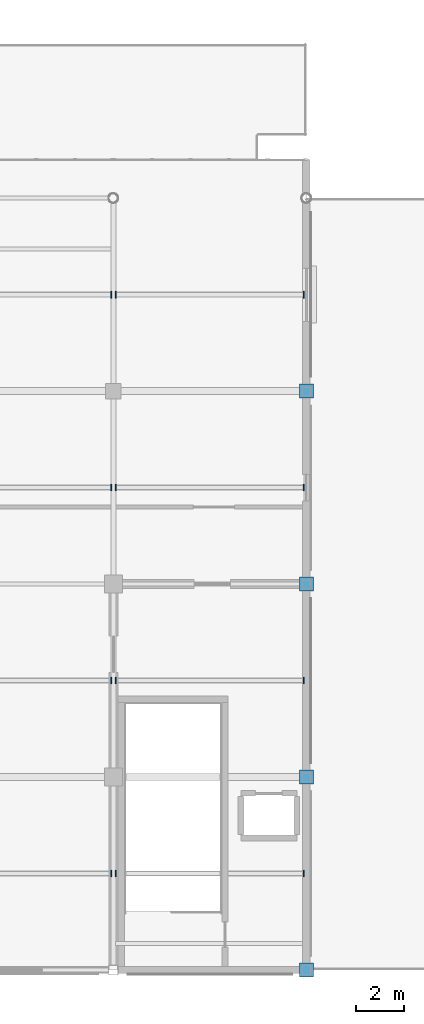
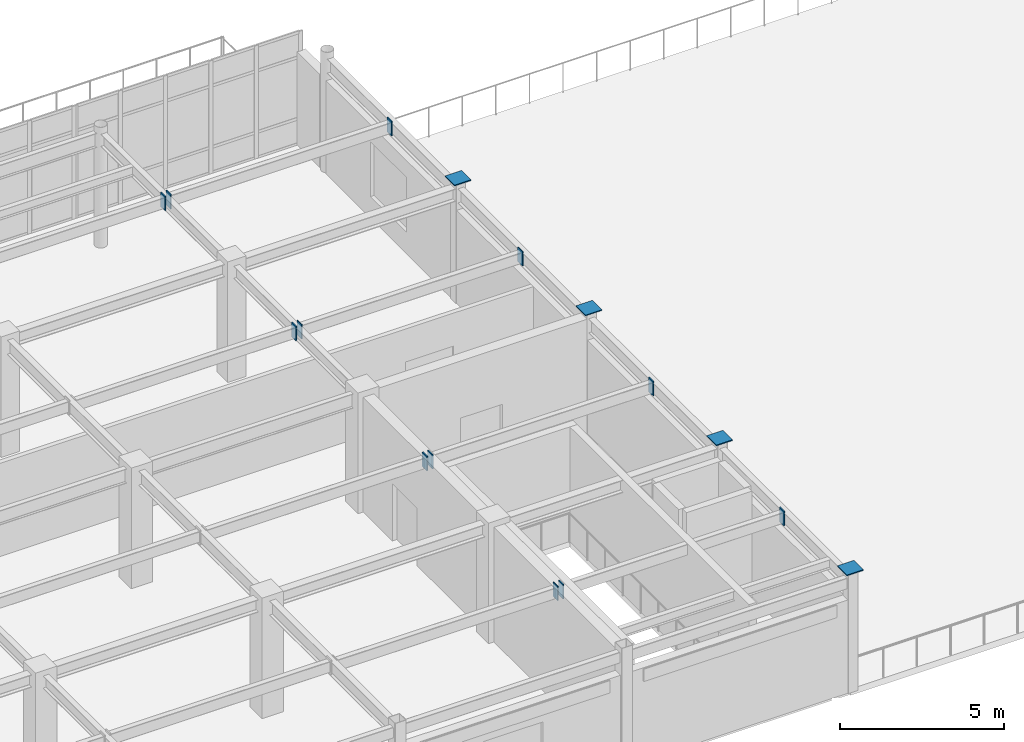
# One storey, part 69 of 93: 16 discrete accessories.
"""IFC4 building model written with IfcOpenShell, lengths in metres."""

from ifc_helpers import new_model, si_unit, direction, frame, origin, origin_2d, place, context, subcontext, project, spatial, rectangle, extrude, material, layer, layer_set, type_object, element, save


model = new_model("IFC4")

# Units and contexts
model_context = context("Model", 3, precision=1e-05, world=origin(), true_north=direction((0.0, 1.0)))
body_context = subcontext(model_context, "Body", "Model", "MODEL_VIEW")
ifc_project = project(units=[si_unit("LENGTHUNIT", "METRE"), si_unit("AREAUNIT", "SQUARE_METRE"), si_unit("VOLUMEUNIT", "CUBIC_METRE"), si_unit("PLANEANGLEUNIT", "RADIAN"), si_unit("MASSUNIT", "GRAM", prefix="KILO")], contexts=[model_context])

# Site, building, storey
site_placement = place(None, origin())
site = spatial("IfcSite", under=ifc_project, at=site_placement, CompositionType="ELEMENT")
building_placement = place(site_placement, origin())
building = spatial("IfcBuilding", under=site, at=building_placement, Name="Solmirada Galleria", CompositionType="ELEMENT")
storey_placement = place(building_placement, frame((0.0, 0.0, 14.89990234375)))
storey = spatial("IfcBuildingStorey", under=building, at=storey_placement, Name="L03", CompositionType="ELEMENT", Elevation=14.89990234375)

# Discrete accessories
ifc_material = material(Name="Steel S355 / ASTM A572 Grade 50", Category="steel")
ifc_layer = layer(ifc_material, 0.031982421875)
ifc_layer_set = layer_set([ifc_layer], Name="Steel S355 / ASTM A572 Grade 50")
discrete_accessory_type = type_object("IfcDiscreteAccessoryType", Name="ACC-COL-CAP", PredefinedType="BRACKET", material=ifc_layer_set)
for number, where, z_axis, x_axis, name in (
    (1, (144.0, 0.0, 4.494140625), (0.0, 0.0, 1.0), (1.0, 0.0, 0.0), "Hollow column cap plate L03-1209"),
    (2, (144.0, 8.0, 4.494140625), (0.0, 0.0, 1.0), (1.0, 0.0, 0.0), "Hollow column cap plate L03-1214"),
    (3, (144.0, 16.0, 4.494140625), (0.0, 0.0, 1.0), (1.0, 0.0, 0.0), "Hollow column cap plate L03-1219"),
    (4, (144.0, 24.0, 4.494140625), (0.0, 0.0, 1.0), (1.0, 0.0, 0.0), "Hollow column cap plate L03-1224"),
):
    element("IfcDiscreteAccessory", number, at=place(storey_placement, frame(where, z_axis=z_axis, x_axis=x_axis)), inside=storey, type_object=discrete_accessory_type, Name=name, PredefinedType="BRACKET", context=body_context, shape_type="SweptSolid", body=[
        extrude(rectangle(XDim=0.580078125, YDim=0.580078125, at=origin_2d()), origin(), (0.0, 0.0, 1.0), 0.035888671875),
    ])
for number, where, z_axis, x_axis, name in (
    (5, (135.903076171875, 4.0, 3.787109375), (0.0, 0.0, 1.0), (1.0, 0.0, 0.0), "Hollow joist end plate L04-17-01-R"),
    (6, (135.903076171875, 12.0, 3.787109375), (0.0, 0.0, 1.0), (1.0, 0.0, 0.0), "Hollow joist end plate L04-17-02-R"),
    (7, (135.903076171875, 20.0, 3.787109375), (0.0, 0.0, 1.0), (1.0, 0.0, 0.0), "Hollow joist end plate L04-17-03-R"),
    (8, (135.903076171875, 28.0, 3.787109375), (0.0, 0.0, 1.0), (1.0, 0.0, 0.0), "Hollow joist end plate L04-17-04-R"),
    (9, (136.096923828125, 4.0, 3.787109375), (0.0, 0.0, 1.0), (1.0, 0.0, 0.0), "Hollow joist end plate L04-18-01-L"),
    (10, (143.89501953125, 4.0, 3.787109375), (0.0, 0.0, 1.0), (1.0, 0.0, 0.0), "Hollow joist end plate L04-18-01-R"),
    (11, (136.096923828125, 12.0, 3.787109375), (0.0, 0.0, 1.0), (1.0, 0.0, 0.0), "Hollow joist end plate L04-18-02-L"),
    (12, (143.89501953125, 12.0, 3.787109375), (0.0, 0.0, 1.0), (1.0, 0.0, 0.0), "Hollow joist end plate L04-18-02-R"),
    (13, (136.096923828125, 20.0, 3.787109375), (0.0, 0.0, 1.0), (1.0, 0.0, 0.0), "Hollow joist end plate L04-18-03-L"),
    (14, (143.89501953125, 20.0, 3.787109375), (0.0, 0.0, 1.0), (1.0, 0.0, 0.0), "Hollow joist end plate L04-18-03-R"),
    (15, (136.096923828125, 28.0, 3.787109375), (0.0, 0.0, 1.0), (1.0, 0.0, 0.0), "Hollow joist end plate L04-18-04-L"),
    (16, (143.89501953125, 28.0, 3.787109375), (0.0, 0.0, 1.0), (1.0, 0.0, 0.0), "Hollow joist end plate L04-18-04-R"),
):
    element("IfcDiscreteAccessory", number, at=place(storey_placement, frame(where, z_axis=z_axis, x_axis=x_axis)), inside=storey, type_object=discrete_accessory_type, Name=name, PredefinedType="BRACKET", context=body_context, shape_type="SweptSolid", body=[
        extrude(rectangle(XDim=0.035888671875, YDim=0.280029296875, at=origin_2d()), origin(), (0.0, 0.0, 1.0), 0.5400390625),
    ])

save(model, "model.ifc")
